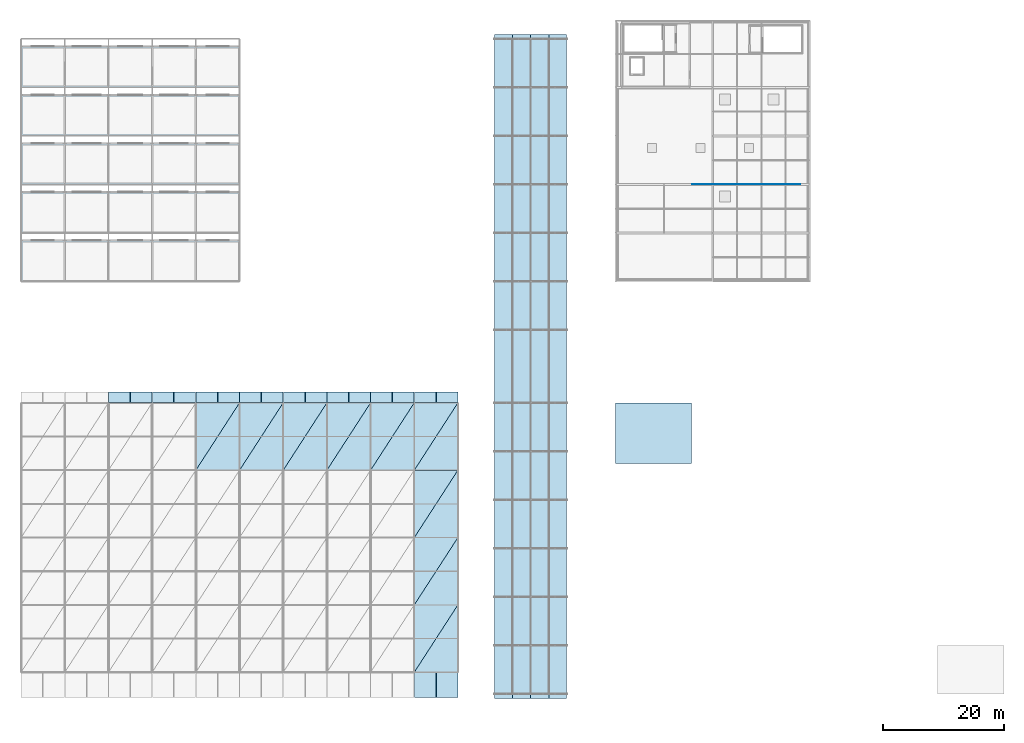
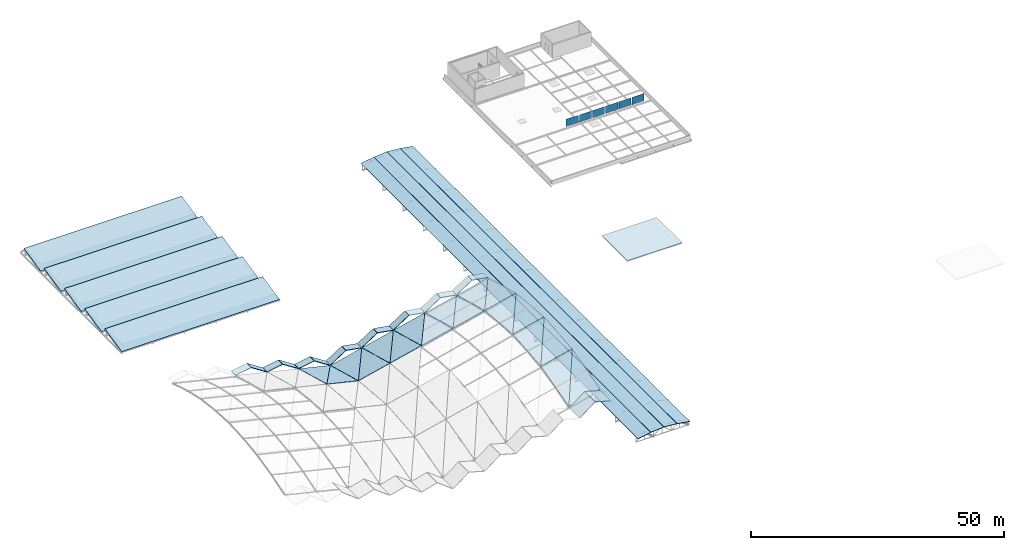
# One storey, part 50 of 54: 46 slabs, 6 plates.
"""IFC4 building model written with IfcOpenShell, lengths in metres."""

from ifc_helpers import new_model, si_unit, derived_unit, direction, frame, origin, origin_2d, place, context, subcontext, project, spatial, polyline, rectangle, outline, extrude, material, layer, layer_set, type_object, element, save


model = new_model("IFC4")

# Units and contexts
model_context = context("Model", 3, precision=1e-05, world=origin(), true_north=direction((0.0, 1.0)))
body_context = subcontext(model_context, "Body", "Model", "MODEL_VIEW")
ifc_project = project(units=[si_unit("LENGTHUNIT", "METRE"), si_unit("AREAUNIT", "SQUARE_METRE"), si_unit("VOLUMEUNIT", "CUBIC_METRE"), si_unit("PLANEANGLEUNIT", "RADIAN"), si_unit("MASSUNIT", "GRAM", prefix="KILO"), derived_unit("THERMALTRANSMITTANCEUNIT", [(si_unit("POWERUNIT", "WATT"), 1), (si_unit("LENGTHUNIT", "METRE"), -2), (si_unit("THERMODYNAMICTEMPERATUREUNIT", "KELVIN"), -1)])], contexts=[model_context])

# Site, building, storey
site_placement = place(None, origin())
site = spatial("IfcSite", under=ifc_project, at=site_placement, CompositionType="ELEMENT")
building_placement = place(site_placement, origin())
building = spatial("IfcBuilding", under=site, at=building_placement, Name="Keldorne Ridge Multi-Sports Centre", CompositionType="ELEMENT")
storey_placement = place(building_placement, frame((0.0, 0.0, 22.199951171875)))
storey = spatial("IfcBuildingStorey", under=building, at=storey_placement, Name="ROOF", CompositionType="ELEMENT", Elevation=22.199951171875)

# Plates
ifc_material_1 = material(Name="Galvanized steel", Category="steel")
ifc_layer_1 = layer(ifc_material_1, 0.011962890625)
ifc_layer_set_1 = layer_set([ifc_layer_1], Name="Galvanized steel")
plate_type = type_object("IfcPlateType", Name="PLT-SC-01", PredefinedType="SHEET", material=ifc_layer_set_1)
for number, where, z_axis, x_axis, name in (
    (1, (118.0, 90.0, 0.0), (0.0, 0.0, 1.0), (1.0, 0.0, 0.0), "Roof plant acoustic screen PS-01"),
    (2, (121.0, 90.0, 0.0), (0.0, 0.0, 1.0), (1.0, 0.0, 0.0), "Roof plant acoustic screen PS-02"),
    (3, (124.0, 90.0, 0.0), (0.0, 0.0, 1.0), (1.0, 0.0, 0.0), "Roof plant acoustic screen PS-03"),
    (4, (127.0, 90.0, 0.0), (0.0, 0.0, 1.0), (1.0, 0.0, 0.0), "Roof plant acoustic screen PS-04"),
    (5, (130.0, 90.0, 0.0), (0.0, 0.0, 1.0), (1.0, 0.0, 0.0), "Roof plant acoustic screen PS-05"),
    (6, (133.0, 90.0, 0.0), (0.0, 0.0, 1.0), (1.0, 0.0, 0.0), "Roof plant acoustic screen PS-06"),
):
    element("IfcPlate", number, at=place(storey_placement, frame(where, z_axis=z_axis, x_axis=x_axis)), inside=storey, type_object=plate_type, Name=name, PredefinedType="SHEET", context=body_context, shape_type="SweptSolid", body=[
        extrude(rectangle(XDim=2.800048828125, YDim=0.011962890625, at=origin_2d()), origin(), (0.0, 0.0, 1.0), 1.800048828125),
    ])

# Slabs
ifc_material_2 = material(Name="Concrete C35/45", Category="concrete")
ifc_layer_2 = layer(ifc_material_2, 0.22998046875)
ifc_layer_set_2 = layer_set([ifc_layer_2], Name="Concrete C35/45")
slab_type_1 = type_object("IfcSlabType", Name="SLB-SL-R01", PredefinedType="ROOF", material=ifc_layer_set_2)
slab_1_placement = place(storey_placement, frame((0.0, 0.0, -0.22998046875)))
element("IfcSlab", 7, at=slab_1_placement, inside=storey, type_object=slab_type_1, Name="Top Core C4 headhouse roof", PredefinedType="ROOF", context=body_context, shape_type="SweptSolid", body=[
    extrude(outline(polyline([(104.0, 44.0), (116.5, 44.0), (116.5, 54.0), (104.0, 54.0), (104.0, 44.0)])), origin(), (0.0, 0.0, 1.0), 0.22998046875),
])
ifc_material_3 = material(Name="Steel S355", Category="steel")
ifc_layer_3 = layer(ifc_material_3, 0.14990234375)
ifc_layer_set_3 = layer_set([ifc_layer_3], Name="Steel S355")
slab_type_2 = type_object("IfcSlabType", Name="SLB-SL-R02", PredefinedType="ROOF", material=ifc_layer_set_3)
slab_2_placement = place(storey_placement, frame((34.820068359375, 42.919921875, -4.888427734375), z_axis=(0.224688938377, 0.254241906772, 0.940678443365), x_axis=(0.972638711175, 0.0, -0.232322916486)))
element("IfcSlab", 8, at=slab_2_placement, inside=storey, type_object=slab_type_2, Name="Main Hall upswept roof facet 039", PredefinedType="ROOF", context=body_context, shape_type="SweptSolid", body=[
    extrude(outline(polyline([(0.0, 0.0), (7.361327517725271, 0.0), (8.05580061085319, 11.435832522807285), (0.0, 0.0)])), origin(), (0.0, 0.0, -1.0), 0.14990234375),
])
slab_3_placement = place(storey_placement, frame((34.820068359375, 42.919921875, -4.888427734375), z_axis=(0.224720580511, 0.254220651894, 0.940676629265), x_axis=(0.511847893144, 0.790661617458, -0.335955266312)))
element("IfcSlab", 9, at=slab_3_placement, inside=storey, type_object=slab_type_2, Name="Main Hall upswept roof facet 040", PredefinedType="ROOF", context=body_context, shape_type="SweptSolid", body=[
    extrude(outline(polyline([(0.0, 0.0), (13.988359052137586, -6.106226635438361e-16), (9.74893870106168, 6.018080510493417), (0.0, 0.0)])), origin(), (0.0, 0.0, -1.0), 0.14990234375),
])
slab_4_placement = place(storey_placement, frame((42.02001953125, 42.919921875, -6.5986328125), z_axis=(-0.224690124523, 0.254222484209, 0.940683409264), x_axis=(0.972638711175, 0.0, 0.232322916486)))
element("IfcSlab", 10, at=slab_4_placement, inside=storey, type_object=slab_type_2, Name="Main Hall upswept roof facet 047", PredefinedType="ROOF", context=body_context, shape_type="SweptSolid", body=[
    extrude(outline(polyline([(0.0, 0.0), (7.361327517725271, 0.0), (6.666911144059386, 11.435772152671792), (0.0, 0.0)])), origin(), (0.0, 0.0, -1.0), 0.14990234375),
])
slab_5_placement = place(storey_placement, frame((42.02001953125, 42.919921875, -6.5986328125), z_axis=(-0.22471939422, 0.254240074336, 0.940671663474), x_axis=(0.540891512025, 0.83552587301, -0.096606872165)))
element("IfcSlab", 11, at=slab_5_placement, inside=storey, type_object=slab_type_2, Name="Main Hall upswept roof facet 048", PredefinedType="ROOF", context=body_context, shape_type="SweptSolid", body=[
    extrude(outline(polyline([(0.0, 0.0), (13.237242497235096, -1.1102230246251565e-16), (9.529747959447853, 6.359596071778066), (0.0, 0.0)])), origin(), (0.0, 0.0, -1.0), 0.14990234375),
])
slab_6_placement = place(storey_placement, frame((49.219970703125, 42.919921875, -4.878662109375), z_axis=(-0.224690124523, 0.254222484209, 0.940683409264), x_axis=(0.972638711175, 0.0, 0.232322916486)))
element("IfcSlab", 12, at=slab_6_placement, inside=storey, type_object=slab_type_2, Name="Main Hall upswept roof facet 055", PredefinedType="ROOF", context=body_context, shape_type="SweptSolid", body=[
    extrude(outline(polyline([(0.0, 0.0), (7.361327517725271, 0.0), (6.666911144059386, 11.435772152671792), (0.0, 0.0)])), origin(), (0.0, 0.0, -1.0), 0.14990234375),
])
slab_7_placement = place(storey_placement, frame((49.219970703125, 42.919921875, -4.878662109375), z_axis=(-0.22471939422, 0.254240074336, 0.940671663474), x_axis=(0.540891512025, 0.83552587301, -0.096606872165)))
element("IfcSlab", 13, at=slab_7_placement, inside=storey, type_object=slab_type_2, Name="Main Hall upswept roof facet 056", PredefinedType="ROOF", context=body_context, shape_type="SweptSolid", body=[
    extrude(outline(polyline([(0.0, 0.0), (13.237242497235096, -1.1102230246251565e-16), (9.529747959447853, 6.359596071778066), (0.0, 0.0)])), origin(), (0.0, 0.0, -1.0), 0.14990234375),
])
slab_8_placement = place(storey_placement, frame((56.419921875, 42.919921875, -3.15869140625), z_axis=(-0.224712118856, 0.254240512096, 0.940673283159), x_axis=(0.972633006933, 0.0, 0.23234679646)))
element("IfcSlab", 14, at=slab_8_placement, inside=storey, type_object=slab_type_2, Name="Main Hall upswept roof facet 063", PredefinedType="ROOF", context=body_context, shape_type="SweptSolid", body=[
    extrude(outline(polyline([(0.0, 0.0), (7.361621700028911, 0.0), (6.6670772235023765, 11.43582818762603), (0.0, 0.0)])), origin(), (0.0, 0.0, -1.0), 0.14990234375),
])
slab_9_placement = place(storey_placement, frame((56.419921875, 42.919921875, -3.15869140625), z_axis=(-0.224712118856, 0.254240512096, 0.940673283159), x_axis=(0.540904559408, 0.835517537859, -0.096605908421)))
element("IfcSlab", 15, at=slab_9_placement, inside=storey, type_object=slab_type_2, Name="Main Hall upswept roof facet 064", PredefinedType="ROOF", context=body_context, shape_type="SweptSolid", body=[
    extrude(outline(polyline([(0.0, 0.0), (13.237374552419604, 7.771561172376096e-16), (9.52965289130423, 6.359738527489351), (0.0, 0.0)])), origin(), (0.0, 0.0, -1.0), 0.14990234375),
])
slab_10_placement = place(storey_placement, frame((63.6201171875, 42.919921875, -1.438720703125), z_axis=(-0.22471939422, 0.254240074336, 0.940671663474), x_axis=(0.972631216488, 0.0, 0.23235429136)))
element("IfcSlab", 16, at=slab_10_placement, inside=storey, type_object=slab_type_2, Name="Main Hall upswept roof facet 071", PredefinedType="ROOF", context=body_context, shape_type="SweptSolid", body=[
    extrude(outline(polyline([(0.0, 0.0), (7.36138424101726, 0.0), (6.666817360301574, 11.43582682690624), (0.0, 0.0)])), origin(), (0.0, 0.0, -1.0), 0.14990234375),
])
slab_11_placement = place(storey_placement, frame((63.6201171875, 42.919921875, -1.438720703125), z_axis=(-0.22471939422, 0.254240074336, 0.940671663474), x_axis=(0.540891512025, 0.83552587301, -0.096606872165)))
element("IfcSlab", 17, at=slab_11_placement, inside=storey, type_object=slab_type_2, Name="Main Hall upswept roof facet 072", PredefinedType="ROOF", context=body_context, shape_type="SweptSolid", body=[
    extrude(outline(polyline([(0.0, 0.0), (13.237242497235096, -1.1102230246251565e-16), (9.529747959447853, 6.359596071778066), (0.0, 0.0)])), origin(), (0.0, 0.0, -1.0), 0.14990234375),
])
slab_12_placement = place(storey_placement, frame((70.820068359375, 9.6201171875, -2.7080078125), z_axis=(-0.224719073575, -0.254245323801, 0.940670321259), x_axis=(0.972631216488, 0.0, 0.23235429136)))
element("IfcSlab", 18, at=slab_12_placement, inside=storey, type_object=slab_type_2, Name="Main Hall upswept roof facet 073", PredefinedType="ROOF", context=body_context, shape_type="SweptSolid", body=[
    extrude(outline(polyline([(0.0, 0.0), (7.36138424101726, 0.0), (8.055951121732946, 11.435590708632322), (0.0, 0.0)])), origin(), (0.0, 0.0, -1.0), 0.14990234375),
])
slab_13_placement = place(storey_placement, frame((70.820068359375, 9.6201171875, -2.7080078125), z_axis=(-0.224719073575, -0.254245323801, 0.940670321259), x_axis=(0.511851955086, 0.790650438754, 0.335975385665)))
element("IfcSlab", 19, at=slab_13_placement, inside=storey, type_object=slab_type_2, Name="Main Hall upswept roof facet 074", PredefinedType="ROOF", context=body_context, shape_type="SweptSolid", body=[
    extrude(outline(polyline([(0.0, 0.0), (13.988248043665372, -2.7755575615628914e-17), (9.748764196309251, 6.0180357802113305), (0.0, 0.0)])), origin(), (0.0, 0.0, -1.0), 0.14990234375),
])
slab_14_placement = place(storey_placement, frame((70.820068359375, 20.719970703125, 0.288330078125), z_axis=(-0.231467063194, -0.087305646427, 0.968917294075), x_axis=(0.972631216488, 0.0, 0.23235429136)))
element("IfcSlab", 20, at=slab_14_placement, inside=storey, type_object=slab_type_2, Name="Main Hall upswept roof facet 075", PredefinedType="ROOF", context=body_context, shape_type="SweptSolid", body=[
    extrude(outline(polyline([(0.0, 0.0), (7.36138424101726, 2.7755575615628914e-17), (7.592944352670431, 11.102452510904282), (0.0, 0.0)])), origin(), (0.0, 0.0, -1.0), 0.14990234375),
])
slab_15_placement = place(storey_placement, frame((70.820068359375, 20.719970703125, 0.288330078125), z_axis=(-0.231467063194, -0.087305646427, 0.968917294075), x_axis=(0.532313763603, 0.822275654473, 0.201258056086)))
element("IfcSlab", 21, at=slab_15_placement, inside=storey, type_object=slab_type_2, Name="Main Hall upswept roof facet 076", PredefinedType="ROOF", context=body_context, shape_type="SweptSolid", body=[
    extrude(outline(polyline([(0.0, 0.0), (13.45054852783464, -5.551115123125783e-16), (9.294987081028172, 6.076288917235009), (0.0, 0.0)])), origin(), (0.0, 0.0, -1.0), 0.14990234375),
])
slab_16_placement = place(storey_placement, frame((70.820068359375, 31.820068359375, 1.284912109375), z_axis=(-0.231467024247, 0.087307558971, 0.968917131045), x_axis=(0.972631216488, 0.0, 0.23235429136)))
element("IfcSlab", 22, at=slab_16_placement, inside=storey, type_object=slab_type_2, Name="Main Hall upswept roof facet 077", PredefinedType="ROOF", context=body_context, shape_type="SweptSolid", body=[
    extrude(outline(polyline([(0.0, 0.0), (7.36138424101726, -2.7755575615628914e-17), (7.1298241293640885, 11.102209302533176), (0.0, 0.0)])), origin(), (0.0, 0.0, -1.0), 0.14990234375),
])
slab_17_placement = place(storey_placement, frame((70.820068359375, 31.820068359375, 1.284912109375), z_axis=(-0.231467024247, 0.087307558971, 0.968917131045), x_axis=(0.542645846782, 0.838217325505, 0.054103606096)))
element("IfcSlab", 23, at=slab_17_placement, inside=storey, type_object=slab_type_2, Name="Main Hall upswept roof facet 078", PredefinedType="ROOF", context=body_context, shape_type="SweptSolid", body=[
    extrude(outline(polyline([(0.0, 0.0), (13.194447450079771, -2.7755575615628914e-16), (9.21660940982079, 6.194092546076936), (0.0, 0.0)])), origin(), (0.0, 0.0, -1.0), 0.14990234375),
])
slab_18_placement = place(storey_placement, frame((70.820068359375, 42.919921875, 0.28125), z_axis=(-0.22471939422, 0.254240074336, 0.940671663474), x_axis=(0.972631216488, 0.0, 0.23235429136)))
element("IfcSlab", 24, at=slab_18_placement, inside=storey, type_object=slab_type_2, Name="Main Hall upswept roof facet 079", PredefinedType="ROOF", context=body_context, shape_type="SweptSolid", body=[
    extrude(outline(polyline([(0.0, 0.0), (7.36138424101726, 0.0), (6.666817360301574, 11.43582682690624), (0.0, 0.0)])), origin(), (0.0, 0.0, -1.0), 0.14990234375),
])
slab_19_placement = place(storey_placement, frame((70.820068359375, 42.919921875, 0.28125), z_axis=(-0.22471939422, 0.254240074336, 0.940671663474), x_axis=(0.540891512025, 0.83552587301, -0.096606872165)))
element("IfcSlab", 25, at=slab_19_placement, inside=storey, type_object=slab_type_2, Name="Main Hall upswept roof facet 080", PredefinedType="ROOF", context=body_context, shape_type="SweptSolid", body=[
    extrude(outline(polyline([(0.0, 0.0), (13.237242497235096, -1.1102230246251565e-16), (9.529747959447853, 6.359596071778066), (0.0, 0.0)])), origin(), (0.0, 0.0, -1.0), 0.14990234375),
])
for number, where, z_axis, x_axis, name in (
    (26, (6.0, 74.050048828125, -5.849853515625), (0.0, -0.211515783335, 0.977374581929), (1.0, 0.0, 0.0), "Climbing Atrium sawtooth roof slope 1"),
    (27, (6.0, 82.050048828125, -5.849853515625), (0.0, -0.211515783335, 0.977374581929), (1.0, 0.0, 0.0), "Climbing Atrium sawtooth roof slope 2"),
    (28, (6.0, 90.050048828125, -5.849853515625), (0.0, -0.211515783335, 0.977374581929), (1.0, 0.0, 0.0), "Climbing Atrium sawtooth roof slope 3"),
    (29, (6.0, 98.050048828125, -5.849853515625), (0.0, -0.211515783335, 0.977374581929), (1.0, 0.0, 0.0), "Climbing Atrium sawtooth roof slope 4"),
    (30, (6.0, 106.050048828125, -5.849853515625), (0.0, -0.211515783335, 0.977374581929), (1.0, 0.0, 0.0), "Climbing Atrium sawtooth roof slope 5"),
):
    element("IfcSlab", number, at=place(storey_placement, frame(where, z_axis=z_axis, x_axis=x_axis)), inside=storey, type_object=slab_type_2, Name=name, PredefinedType="ROOF", context=body_context, shape_type="SweptSolid", body=[
        extrude(outline(polyline([(0.0, 0.0), (36.0, 0.0), (36.0, 6.855049533470263), (0.0, 6.855049533470263), (0.0, 0.0)])), origin(), (0.0, 0.0, -1.0), 0.14990234375),
    ])
ifc_layer_4 = layer(ifc_material_3, 0.139892578125)
ifc_layer_set_4 = layer_set([ifc_layer_4], Name="Steel S355")
slab_type_3 = type_object("IfcSlabType", Name="SLB-SL-R03", PredefinedType="ROOF", material=ifc_layer_set_4)
slab_20_placement = place(storey_placement, frame((20.419921875, 54.050048828125, -4.44482421875), z_axis=(-0.165744361896, 0.0, 0.986168751533), x_axis=(0.986168751533, 0.0, 0.165744361896)))
element("IfcSlab", 31, at=slab_20_placement, inside=storey, type_object=slab_type_3, Name="North hall gable roof bay 3W", PredefinedType="ROOF", context=body_context, shape_type="SweptSolid", body=[
    extrude(outline(polyline([(0.0, 0.0), (3.589688942179104, 0.0), (3.589688942179104, 1.699951171875), (0.0, 1.699951171875), (0.0, 0.0)])), origin(), (0.0, 0.0, -1.0), 0.139892578125),
])
slab_21_placement = place(storey_placement, frame((24.0400390625, 54.050048828125, -3.849853515625), z_axis=(0.545678834365, 0.0, 0.837994397193), x_axis=(0.837994397193, 0.0, -0.545678834365)))
element("IfcSlab", 32, at=slab_21_placement, inside=storey, type_object=slab_type_3, Name="North hall gable roof bay 3E", PredefinedType="ROOF", context=body_context, shape_type="SweptSolid", body=[
    extrude(outline(polyline([(0.0, 0.0), (4.224418533536589, 0.0), (4.224418533536589, 1.699951171875), (0.0, 1.699951171875), (0.0, 0.0)])), origin(), (0.0, 0.0, -1.0), 0.139892578125),
])
slab_22_placement = place(storey_placement, frame((27.6201171875, 54.050048828125, -6.164794921875), z_axis=(-0.165689330681, 0.0, 0.986177998993), x_axis=(0.986177998993, 0.0, 0.165689330681)))
element("IfcSlab", 33, at=slab_22_placement, inside=storey, type_object=slab_type_3, Name="North hall gable roof bay 4W", PredefinedType="ROOF", context=body_context, shape_type="SweptSolid", body=[
    extrude(outline(polyline([(0.0, 0.0), (3.5894077189802647, 0.0), (3.5894077189802647, 1.699951171875), (0.0, 1.699951171875), (0.0, 0.0)])), origin(), (0.0, 0.0, -1.0), 0.139892578125),
])
slab_23_placement = place(storey_placement, frame((31.239990234375, 54.050048828125, -5.570068359375), z_axis=(0.545678834365, 0.0, 0.837994397193), x_axis=(0.837994397193, 0.0, -0.545678834365)))
element("IfcSlab", 34, at=slab_23_placement, inside=storey, type_object=slab_type_3, Name="North hall gable roof bay 4E", PredefinedType="ROOF", context=body_context, shape_type="SweptSolid", body=[
    extrude(outline(polyline([(0.0, 0.0), (4.224418533536589, 0.0), (4.224418533536589, 1.699951171875), (0.0, 1.699951171875), (0.0, 0.0)])), origin(), (0.0, 0.0, -1.0), 0.139892578125),
])
slab_24_placement = place(storey_placement, frame((34.820068359375, 54.050048828125, -7.884765625), z_axis=(-0.1656782175, 0.0, 0.986179866072), x_axis=(0.986179866072, 0.0, 0.1656782175)))
element("IfcSlab", 35, at=slab_24_placement, inside=storey, type_object=slab_type_3, Name="North hall gable roof bay 5W", PredefinedType="ROOF", context=body_context, shape_type="SweptSolid", body=[
    extrude(outline(polyline([(0.0, 0.0), (3.5896484853212227, 0.0), (3.5896484853212227, 1.699951171875), (0.0, 1.699951171875), (0.0, 0.0)])), origin(), (0.0, 0.0, -1.0), 0.139892578125),
])
for number, where, z_axis, x_axis, name in (
    (36, (38.43994140625, 54.050048828125, -7.2900390625), (0.545678834365, 0.0, 0.837994397193), (0.837994397193, 0.0, -0.545678834365), "North hall gable roof bay 5E"),
    (37, (42.02001953125, 54.050048828125, -9.59521484375), (-0.545678834365, 0.0, 0.837994397193), (0.837994397193, 0.0, 0.545678834365), "North hall gable roof bay 6W"),
):
    element("IfcSlab", number, at=place(storey_placement, frame(where, z_axis=z_axis, x_axis=x_axis)), inside=storey, type_object=slab_type_3, Name=name, PredefinedType="ROOF", context=body_context, shape_type="SweptSolid", body=[
        extrude(outline(polyline([(0.0, 0.0), (4.224418533536589, 0.0), (4.224418533536589, 1.699951171875), (0.0, 1.699951171875), (0.0, 0.0)])), origin(), (0.0, 0.0, -1.0), 0.139892578125),
    ])
slab_25_placement = place(storey_placement, frame((45.639892578125, 54.050048828125, -7.2900390625), z_axis=(0.1656782175, 0.0, 0.986179866072), x_axis=(0.986179866072, 0.0, -0.1656782175)))
element("IfcSlab", 38, at=slab_25_placement, inside=storey, type_object=slab_type_3, Name="North hall gable roof bay 6E", PredefinedType="ROOF", context=body_context, shape_type="SweptSolid", body=[
    extrude(outline(polyline([(0.0, 0.0), (3.5896484853212227, 0.0), (3.5896484853212227, 1.699951171875), (0.0, 1.699951171875), (0.0, 0.0)])), origin(), (0.0, 0.0, -1.0), 0.139892578125),
])
slab_26_placement = place(storey_placement, frame((49.219970703125, 54.050048828125, -7.875244140625), z_axis=(-0.545678834365, 0.0, 0.837994397193), x_axis=(0.837994397193, 0.0, 0.545678834365)))
element("IfcSlab", 39, at=slab_26_placement, inside=storey, type_object=slab_type_3, Name="North hall gable roof bay 7W", PredefinedType="ROOF", context=body_context, shape_type="SweptSolid", body=[
    extrude(outline(polyline([(0.0, 0.0), (4.224418533536589, 0.0), (4.224418533536589, 1.699951171875), (0.0, 1.699951171875), (0.0, 0.0)])), origin(), (0.0, 0.0, -1.0), 0.139892578125),
])
slab_27_placement = place(storey_placement, frame((52.840087890625, 54.050048828125, -5.570068359375), z_axis=(0.165689330681, 0.0, 0.986177998993), x_axis=(0.986177998993, 0.0, -0.165689330681)))
element("IfcSlab", 40, at=slab_27_placement, inside=storey, type_object=slab_type_3, Name="North hall gable roof bay 7E", PredefinedType="ROOF", context=body_context, shape_type="SweptSolid", body=[
    extrude(outline(polyline([(0.0, 0.0), (3.5894077189802647, 0.0), (3.5894077189802647, 1.699951171875), (0.0, 1.699951171875), (0.0, 0.0)])), origin(), (0.0, 0.0, -1.0), 0.139892578125),
])
slab_28_placement = place(storey_placement, frame((56.419921875, 54.050048828125, -6.155029296875), z_axis=(-0.545678834365, 0.0, 0.837994397193), x_axis=(0.837994397193, 0.0, 0.545678834365)))
element("IfcSlab", 41, at=slab_28_placement, inside=storey, type_object=slab_type_3, Name="North hall gable roof bay 8W", PredefinedType="ROOF", context=body_context, shape_type="SweptSolid", body=[
    extrude(outline(polyline([(0.0, 0.0), (4.224418533536589, 0.0), (4.224418533536589, 1.699951171875), (0.0, 1.699951171875), (0.0, 0.0)])), origin(), (0.0, 0.0, -1.0), 0.139892578125),
])
slab_29_placement = place(storey_placement, frame((60.0400390625, 54.050048828125, -3.849853515625), z_axis=(0.165744361896, 0.0, 0.986168751533), x_axis=(0.986168751533, 0.0, -0.165744361896)))
element("IfcSlab", 42, at=slab_29_placement, inside=storey, type_object=slab_type_3, Name="North hall gable roof bay 8E", PredefinedType="ROOF", context=body_context, shape_type="SweptSolid", body=[
    extrude(outline(polyline([(0.0, 0.0), (3.589688942179104, 0.0), (3.589688942179104, 1.699951171875), (0.0, 1.699951171875), (0.0, 0.0)])), origin(), (0.0, 0.0, -1.0), 0.139892578125),
])
slab_30_placement = place(storey_placement, frame((63.6201171875, 54.050048828125, -4.43505859375), z_axis=(-0.545705262585, 0.0, 0.837977187271), x_axis=(0.837977187271, 0.0, 0.545705262585)))
element("IfcSlab", 43, at=slab_30_placement, inside=storey, type_object=slab_type_3, Name="North hall gable roof bay 9W", PredefinedType="ROOF", context=body_context, shape_type="SweptSolid", body=[
    extrude(outline(polyline([(0.0, 0.0), (4.2242139471614815, 0.0), (4.2242139471614815, 1.699951171875), (0.0, 1.699951171875), (0.0, 0.0)])), origin(), (0.0, 0.0, -1.0), 0.139892578125),
])
slab_31_placement = place(storey_placement, frame((67.239990234375, 54.050048828125, -2.1298828125), z_axis=(0.165744361896, 0.0, 0.986168751533), x_axis=(0.986168751533, 0.0, -0.165744361896)))
element("IfcSlab", 44, at=slab_31_placement, inside=storey, type_object=slab_type_3, Name="North hall gable roof bay 9E", PredefinedType="ROOF", context=body_context, shape_type="SweptSolid", body=[
    extrude(outline(polyline([(0.0, 0.0), (3.589688942179104, 0.0), (3.589688942179104, 1.699951171875), (0.0, 1.699951171875), (0.0, 0.0)])), origin(), (0.0, 0.0, -1.0), 0.139892578125),
])
slab_32_placement = place(storey_placement, frame((70.820068359375, 5.449951171875, -3.01513671875), z_axis=(-0.607165308747, 0.0, 0.794575539426), x_axis=(0.794575539426, 0.0, 0.607165308747)))
element("IfcSlab", 45, at=slab_32_placement, inside=storey, type_object=slab_type_3, Name="South colonnade gable roof bay 10W", PredefinedType="ROOF", context=body_context, shape_type="SweptSolid", body=[
    extrude(outline(polyline([(0.0, 0.0), (4.4552580426255215, 0.0), (4.4552580426255215, 4.10009765625), (0.0, 4.10009765625), (0.0, 0.0)])), origin(), (0.0, 0.0, -1.0), 0.139892578125),
])
slab_33_placement = place(storey_placement, frame((74.43994140625, 5.449951171875, -0.31005859375), z_axis=(0.270491765733, 0.0, 0.962722288446), x_axis=(0.962722288446, 0.0, -0.270491765733)))
element("IfcSlab", 46, at=slab_33_placement, inside=storey, type_object=slab_type_3, Name="South colonnade gable roof bay 10E", PredefinedType="ROOF", context=body_context, shape_type="SweptSolid", body=[
    extrude(outline(polyline([(0.0, 0.0), (3.6771134365387685, 0.0), (3.6771134365387685, 4.10009765625), (0.0, 4.10009765625), (0.0, 0.0)])), origin(), (0.0, 0.0, -1.0), 0.139892578125),
])
slab_34_placement = place(storey_placement, frame((70.820068359375, 54.050048828125, -2.715087890625), z_axis=(-0.545678834365, 0.0, 0.837994397193), x_axis=(0.837994397193, 0.0, 0.545678834365)))
element("IfcSlab", 47, at=slab_34_placement, inside=storey, type_object=slab_type_3, Name="North hall gable roof bay 10W", PredefinedType="ROOF", context=body_context, shape_type="SweptSolid", body=[
    extrude(outline(polyline([(0.0, 0.0), (4.224418533536589, 0.0), (4.224418533536589, 1.699951171875), (0.0, 1.699951171875), (0.0, 0.0)])), origin(), (0.0, 0.0, -1.0), 0.139892578125),
])
slab_35_placement = place(storey_placement, frame((74.43994140625, 54.050048828125, -0.409912109375), z_axis=(0.1656782175, 0.0, 0.986179866072), x_axis=(0.986179866072, 0.0, -0.1656782175)))
element("IfcSlab", 48, at=slab_35_placement, inside=storey, type_object=slab_type_3, Name="North hall gable roof bay 10E", PredefinedType="ROOF", context=body_context, shape_type="SweptSolid", body=[
    extrude(outline(polyline([(0.0, 0.0), (3.5896484853212227, 0.0), (3.5896484853212227, 1.699951171875), (0.0, 1.699951171875), (0.0, 0.0)])), origin(), (0.0, 0.0, -1.0), 0.139892578125),
])
ifc_layer_5 = layer(ifc_material_3, 0.1201171875)
ifc_layer_set_5 = layer_set([ifc_layer_5], Name="Steel S355")
slab_type_4 = type_object("IfcSlabType", Name="SLB-SL-R04", PredefinedType="ROOF", material=ifc_layer_set_5)
slab_36_placement = place(storey_placement, frame((84.050048828125, 5.25, -12.449951171875), z_axis=(-0.168780818523, 0.0, 0.98565360817), x_axis=(0.98565360817, 0.0, 0.168780818523)))
element("IfcSlab", 49, at=slab_36_placement, inside=storey, type_object=slab_type_4, Name="Public Passage arch canopy deck 1", PredefinedType="ROOF", context=body_context, shape_type="SweptSolid", body=[
    extrude(outline(polyline([(0.0, 0.0), (2.962421940930008, 0.0), (2.962421940930008, 109.49999999999999), (0.0, 109.49999999999999), (0.0, 0.0)])), origin(), (0.0, 0.0, -1.0), 0.1201171875),
])
for number, where, z_axis, x_axis, name in (
    (50, (87.0, 5.25, -11.949951171875), (-0.083879272213, 0.0, 0.996475924292), (0.996475924292, 0.0, 0.083879272213), "Public Passage arch canopy deck 2"),
    (51, (90.0, 5.25, -11.699951171875), (0.083879272213, 0.0, 0.996475924292), (0.996475924292, 0.0, -0.083879272213), "Public Passage arch canopy deck 3"),
):
    element("IfcSlab", number, at=place(storey_placement, frame(where, z_axis=z_axis, x_axis=x_axis)), inside=storey, type_object=slab_type_4, Name=name, PredefinedType="ROOF", context=body_context, shape_type="SweptSolid", body=[
        extrude(outline(polyline([(0.0, 0.0), (2.980474119569034, 0.0), (2.980474119569034, 109.50000000000003), (0.0, 109.50000000000003), (0.0, 0.0)])), origin(), (0.0, 0.0, -1.0), 0.1201171875),
    ])
slab_37_placement = place(storey_placement, frame((93.0, 5.25, -11.949951171875), z_axis=(0.168780818523, 0.0, 0.98565360817), x_axis=(0.98565360817, 0.0, -0.168780818523)))
element("IfcSlab", 52, at=slab_37_placement, inside=storey, type_object=slab_type_4, Name="Public Passage arch canopy deck 4", PredefinedType="ROOF", context=body_context, shape_type="SweptSolid", body=[
    extrude(outline(polyline([(0.0, 0.0), (2.962421940930008, 0.0), (2.962421940930008, 109.49999999999999), (0.0, 109.49999999999999), (0.0, 0.0)])), origin(), (0.0, 0.0, -1.0), 0.1201171875),
])

save(model, "model.ifc")
